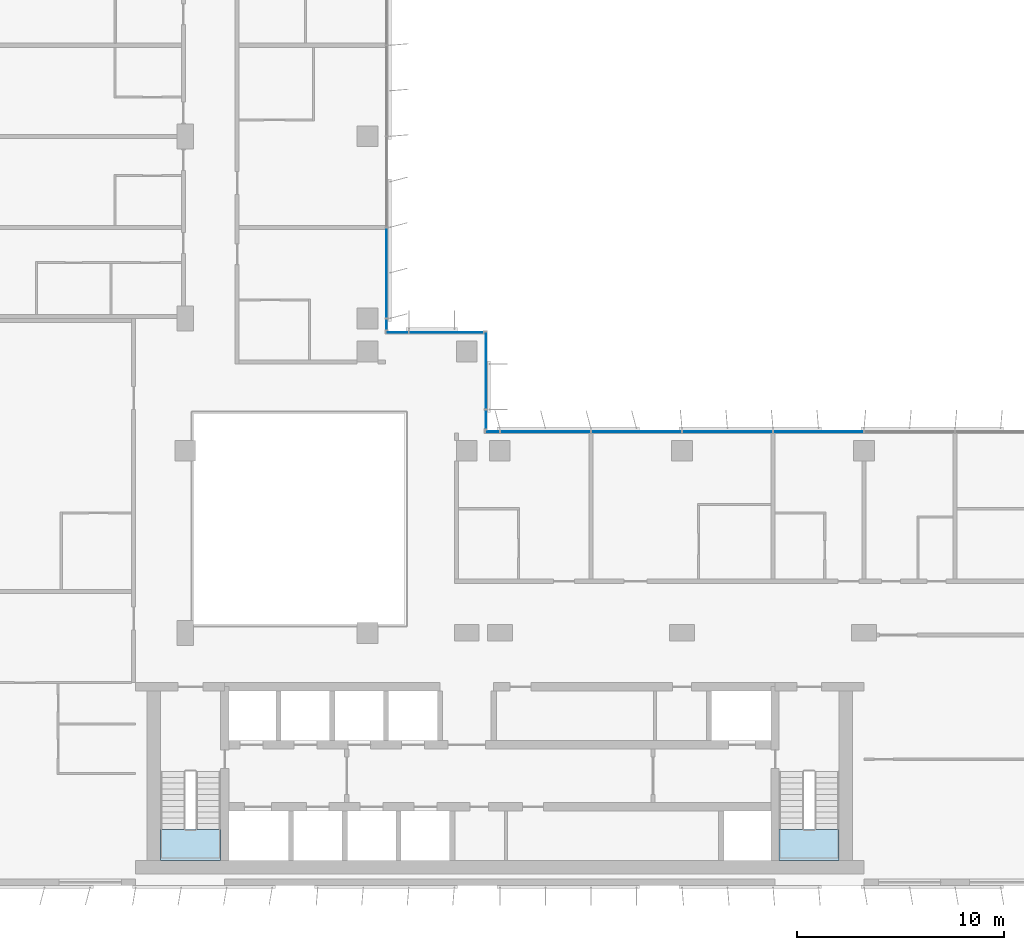
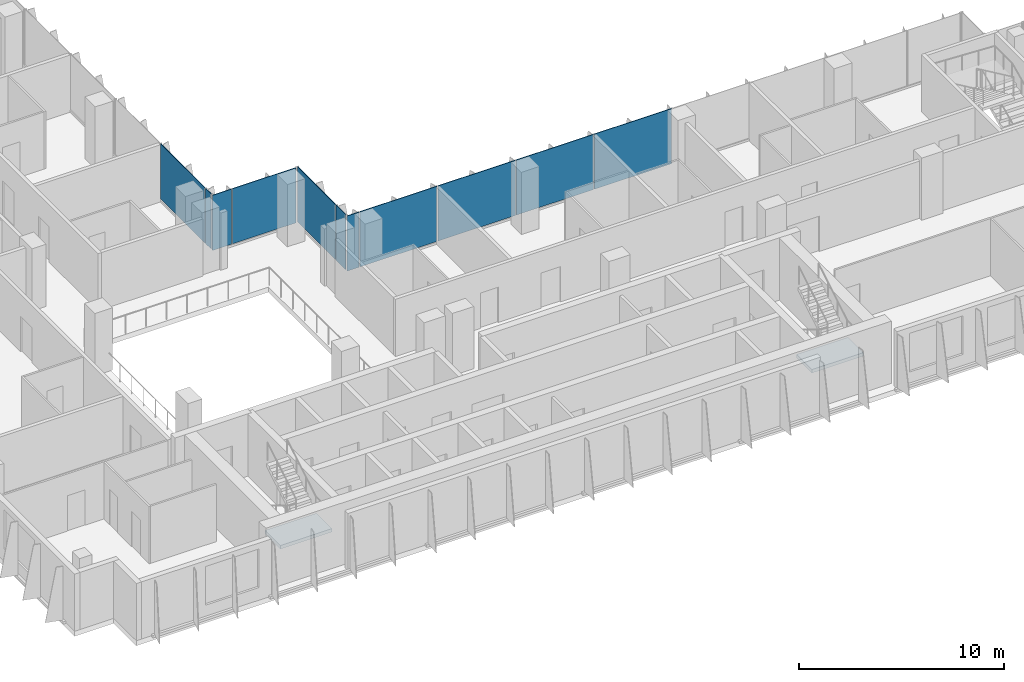
# One storey, part 10 of 21: 11 plates, 2 slabs, 6 elements without a shape of their own.
"""IFC4 building model written with IfcOpenShell, lengths in metres."""

from ifc_helpers import new_model, si_unit, direction, frame, origin, origin_2d, place, context, subcontext, project, spatial, polyline, rectangle, outline, extrude, source, transform, mapped, material, layer, layer_set, type_object, element, aggregate, save


model = new_model("IFC4")

# Units and contexts
model_context = context("Model", 3, precision=1e-05, world=origin(), true_north=direction((0.0, 1.0)))
body_context = subcontext(model_context, "Body", "Model", "MODEL_VIEW")
ifc_project = project(units=[si_unit("LENGTHUNIT", "METRE"), si_unit("AREAUNIT", "SQUARE_METRE"), si_unit("VOLUMEUNIT", "CUBIC_METRE"), si_unit("PLANEANGLEUNIT", "RADIAN"), si_unit("MASSUNIT", "GRAM", prefix="KILO")], contexts=[model_context])

# Site, building, storey
site_placement = place(None, origin())
site = spatial("IfcSite", under=ifc_project, at=site_placement, CompositionType="ELEMENT")
building_placement = place(site_placement, origin())
building = spatial("IfcBuilding", under=site, at=building_placement, Name="Kemantara Hotel Tower", CompositionType="ELEMENT")
storey_placement = place(building_placement, frame((0.0, 0.0, 179.0)))
storey = spatial("IfcBuildingStorey", under=building, at=storey_placement, Name="L44", CompositionType="ELEMENT", Elevation=179.0)

# Stair, slab
ifc_material_1 = material(Name="Concrete fc 40 MPa", Category="concrete")
stair_type = type_object("IfcStairType", Name="Stair 1200 wide 22 risers of 168 x 280 mm", PredefinedType="HALF_TURN_STAIR", material=ifc_material_1)
stair_1_placement = place(storey_placement, origin())
stair_1 = element("IfcStair", 1, at=stair_1_placement, inside=storey, type_object=stair_type, Name="L44 Exit stair ST1", PredefinedType="HALF_TURN_STAIR")
ifc_layer_1 = layer(ifc_material_1, 0.199951171875)
ifc_layer_set_1 = layer_set([ifc_layer_1], Name="Concrete fc 40 MPa")
slab_type = type_object("IfcSlabType", Name="Stair landing 200 mm", PredefinedType="LANDING", material=ifc_layer_set_1)
slab_1_placement = place(storey_placement, frame((0.0, 0.0, 1.64990234375)))
slab_1 = element("IfcSlab", 2, at=slab_1_placement, type_object=slab_type, Name="ST1 landing 1", PredefinedType="LANDING", context=body_context, shape_type="SweptSolid", body=[
    extrude(outline(polyline([(11.0, 2.699951171875), (11.0, 1.199951171875), (13.89990234375, 1.199951171875), (13.89990234375, 2.699951171875), (11.0, 2.699951171875)])), origin(), (0.0, 0.0, 1.0), 0.2001953125),
])
aggregate(stair_1, [slab_1])

stair_2_placement = place(storey_placement, origin())
stair_2 = element("IfcStair", 3, at=stair_2_placement, inside=storey, type_object=stair_type, Name="L44 Exit stair ST2", PredefinedType="HALF_TURN_STAIR")
slab_2_placement = place(storey_placement, frame((0.0, 0.0, 1.64990234375)))
slab_2 = element("IfcSlab", 4, at=slab_2_placement, type_object=slab_type, Name="ST2 landing 1", PredefinedType="LANDING", context=body_context, shape_type="SweptSolid", body=[
    extrude(outline(polyline([(40.89990234375, 2.699951171875), (40.89990234375, 1.199951171875), (43.800048828125, 1.199951171875), (43.800048828125, 2.699951171875), (40.89990234375, 2.699951171875)])), origin(), (0.0, 0.0, 1.0), 0.2001953125),
])
aggregate(stair_2, [slab_2])

# Curtain wall, plates
ifc_material_2 = material(Name="Low-E tinted double insulated glass 36 mm", Category="glass")
curtain_wall_type = type_object("IfcCurtainWallType", Name="TOWER CURTAIN WALL, FRONT FACES", PredefinedType="USERDEFINED", material=ifc_material_2)
curtain_wall_1_placement = place(storey_placement, origin())
curtain_wall_1 = element("IfcCurtainWall", 5, at=curtain_wall_1_placement, inside=storey, type_object=curtain_wall_type, Name="CW4 L44 T3-R14-1", ObjectType="TOWER CURTAIN WALL, FRONT FACES", PredefinedType="USERDEFINED")
ifc_layer_2 = layer(ifc_material_2, 0.035888671875)
ifc_layer_set_2 = layer_set([ifc_layer_2], Name="Low-E tinted double insulated glass 36 mm")
plate_type = type_object("IfcPlateType", Name="TOWER CURTAIN WALL, FRONT FACES PANEL", PredefinedType="CURTAIN_PANEL", material=ifc_layer_set_2)
shared_shape_1 = source(origin(), body_context, "Body", "SweptSolid", [
    extrude(rectangle(XDim=4.340087890625, YDim=0.035888671875, at=origin_2d()), origin(), (0.0, 0.0, 1.0), 3.280029296875),
])
plate_1_placement = place(storey_placement, frame((42.800048828125, 21.925048828125, 0.1201171875), z_axis=(0.0, 0.0, 1.0), x_axis=(-1.0, 0.0, 0.0)))
plate_1 = element("IfcPlate", 6, at=plate_1_placement, type_object=plate_type, Name="CW4 glass panel T3-R14-1.5", PredefinedType="CURTAIN_PANEL", context=body_context, shape_type="MappedRepresentation", body=[
    mapped(shared_shape_1, transform((0.0, 0.0, 0.0))),
])
plate_2_placement = place(storey_placement, frame((38.39990234375, 21.925048828125, 0.1201171875), z_axis=(0.0, 0.0, 1.0), x_axis=(-1.0, 0.0, 0.0)))
plate_2 = element("IfcPlate", 7, at=plate_2_placement, type_object=plate_type, Name="CW4 glass panel T3-R14-1.6", PredefinedType="CURTAIN_PANEL", context=body_context, shape_type="MappedRepresentation", body=[
    mapped(shared_shape_1, transform((0.0, 0.0, 0.0))),
])
plate_3_placement = place(storey_placement, frame((34.0, 21.925048828125, 0.1201171875), z_axis=(0.0, 0.0, 1.0), x_axis=(-1.0, 0.0, 0.0)))
plate_3 = element("IfcPlate", 8, at=plate_3_placement, type_object=plate_type, Name="CW4 glass panel T3-R14-1.7", PredefinedType="CURTAIN_PANEL", context=body_context, shape_type="MappedRepresentation", body=[
    mapped(shared_shape_1, transform((0.0, 0.0, 0.0))),
])
plate_4_placement = place(storey_placement, frame((29.60009765625, 21.925048828125, 0.1201171875), z_axis=(0.0, 0.0, 1.0), x_axis=(-1.0, 0.0, 0.0)))
plate_4 = element("IfcPlate", 9, at=plate_4_placement, type_object=plate_type, Name="CW4 glass panel T3-R14-1.8", PredefinedType="CURTAIN_PANEL", context=body_context, shape_type="MappedRepresentation", body=[
    mapped(shared_shape_1, transform((0.0, 0.0, 0.0))),
])

# Curtain wall, plate
curtain_wall_2_placement = place(storey_placement, origin())
curtain_wall_2 = element("IfcCurtainWall", 10, at=curtain_wall_2_placement, inside=storey, type_object=curtain_wall_type, Name="CW4 L44 T3-R17-1", ObjectType="TOWER CURTAIN WALL, FRONT FACES", PredefinedType="USERDEFINED")
plate_5_placement = place(storey_placement, frame((21.925048828125, 29.60009765625, 0.1201171875), z_axis=(0.0, 0.0, 1.0), x_axis=(0.0, 1.0, 0.0)))
plate_5 = element("IfcPlate", 11, at=plate_5_placement, type_object=plate_type, Name="CW4 glass panel T3-R17-1.2", PredefinedType="CURTAIN_PANEL", context=body_context, shape_type="MappedRepresentation", body=[
    mapped(shared_shape_1, transform((0.0, 0.0, 0.0))),
])

# Plate
shared_shape_2 = source(origin(), body_context, "Body", "SweptSolid", [
    extrude(rectangle(XDim=0.659912109375, YDim=0.035888671875, at=origin_2d()), origin(), (0.0, 0.0, 1.0), 3.280029296875),
])
plate_6_placement = place(storey_placement, frame((27.0400390625, 21.925048828125, 0.1201171875), z_axis=(0.0, 0.0, 1.0), x_axis=(-1.0, 0.0, 0.0)))
plate_6 = element("IfcPlate", 12, at=plate_6_placement, type_object=plate_type, Name="CW4 glass panel T3-R14-1.9", PredefinedType="CURTAIN_PANEL", context=body_context, shape_type="MappedRepresentation", body=[
    mapped(shared_shape_2, transform((0.0, 0.0, 0.0))),
])

aggregate(curtain_wall_1, [plate_1, plate_2, plate_3, plate_4, plate_6])

shared_shape_3 = source(origin(), body_context, "Body", "SweptSolid", [
    extrude(rectangle(XDim=0.510009765625, YDim=0.035888671875, at=origin_2d()), origin(), (0.0, 0.0, 1.0), 3.280029296875),
])
plate_7_placement = place(storey_placement, frame((21.925048828125, 27.114990234375, 0.1201171875), z_axis=(0.0, 0.0, 1.0), x_axis=(0.0, 1.0, 0.0)))
plate_7 = element("IfcPlate", 13, at=plate_7_placement, type_object=plate_type, Name="CW4 glass panel T3-R17-1.1", PredefinedType="CURTAIN_PANEL", context=body_context, shape_type="MappedRepresentation", body=[
    mapped(shared_shape_3, transform((0.0, 0.0, 0.0))),
])

aggregate(curtain_wall_2, [plate_7, plate_5])

# Curtain wall, plates
curtain_wall_3_placement = place(storey_placement, origin())
curtain_wall_3 = element("IfcCurtainWall", 14, at=curtain_wall_3_placement, inside=storey, type_object=curtain_wall_type, Name="CW4 L44 T3-R15-1", ObjectType="TOWER CURTAIN WALL, FRONT FACES", PredefinedType="USERDEFINED")
shared_shape_4 = source(origin(), body_context, "Body", "SweptSolid", [
    extrude(rectangle(XDim=0.909912109375, YDim=0.035888671875, at=origin_2d()), origin(), (0.0, 0.0, 1.0), 3.280029296875),
])
plate_8_placement = place(storey_placement, frame((26.72509765625, 22.514892578125, 0.1201171875), z_axis=(0.0, 0.0, 1.0), x_axis=(0.0, 1.0, 0.0)))
plate_8 = element("IfcPlate", 15, at=plate_8_placement, type_object=plate_type, Name="CW4 glass panel T3-R15-1.1", PredefinedType="CURTAIN_PANEL", context=body_context, shape_type="MappedRepresentation", body=[
    mapped(shared_shape_4, transform((0.0, 0.0, 0.0))),
])
shared_shape_5 = source(origin(), body_context, "Body", "SweptSolid", [
    extrude(rectangle(XDim=3.7099609375, YDim=0.035888671875, at=origin_2d()), origin(), (0.0, 0.0, 1.0), 3.280029296875),
])
plate_9_placement = place(storey_placement, frame((26.72509765625, 24.885009765625, 0.1201171875), z_axis=(0.0, 0.0, 1.0), x_axis=(0.0, 1.0, 0.0)))
plate_9 = element("IfcPlate", 16, at=plate_9_placement, type_object=plate_type, Name="CW4 glass panel T3-R15-1.2", PredefinedType="CURTAIN_PANEL", context=body_context, shape_type="MappedRepresentation", body=[
    mapped(shared_shape_5, transform((0.0, 0.0, 0.0))),
])
aggregate(curtain_wall_3, [plate_8, plate_9])

curtain_wall_4_placement = place(storey_placement, origin())
curtain_wall_4 = element("IfcCurtainWall", 17, at=curtain_wall_4_placement, inside=storey, type_object=curtain_wall_type, Name="CW4 L44 T3-R16-1", ObjectType="TOWER CURTAIN WALL, FRONT FACES", PredefinedType="USERDEFINED")
shared_shape_6 = source(origin(), body_context, "Body", "SweptSolid", [
    extrude(rectangle(XDim=3.56005859375, YDim=0.035888671875, at=origin_2d()), origin(), (0.0, 0.0, 1.0), 3.280029296875),
])
plate_10_placement = place(storey_placement, frame((24.81005859375, 26.72509765625, 0.1201171875), z_axis=(0.0, 0.0, 1.0), x_axis=(-1.0, 0.0, 0.0)))
plate_10 = element("IfcPlate", 18, at=plate_10_placement, type_object=plate_type, Name="CW4 glass panel T3-R16-1.1", PredefinedType="CURTAIN_PANEL", context=body_context, shape_type="MappedRepresentation", body=[
    mapped(shared_shape_6, transform((0.0, 0.0, 0.0))),
])
shared_shape_7 = source(origin(), body_context, "Body", "SweptSolid", [
    extrude(rectangle(XDim=1.06005859375, YDim=0.035888671875, at=origin_2d()), origin(), (0.0, 0.0, 1.0), 3.280029296875),
])
plate_11_placement = place(storey_placement, frame((22.43994140625, 26.72509765625, 0.1201171875), z_axis=(0.0, 0.0, 1.0), x_axis=(-1.0, 0.0, 0.0)))
plate_11 = element("IfcPlate", 19, at=plate_11_placement, type_object=plate_type, Name="CW4 glass panel T3-R16-1.2", PredefinedType="CURTAIN_PANEL", context=body_context, shape_type="MappedRepresentation", body=[
    mapped(shared_shape_7, transform((0.0, 0.0, 0.0))),
])
aggregate(curtain_wall_4, [plate_10, plate_11])

save(model, "model.ifc")
